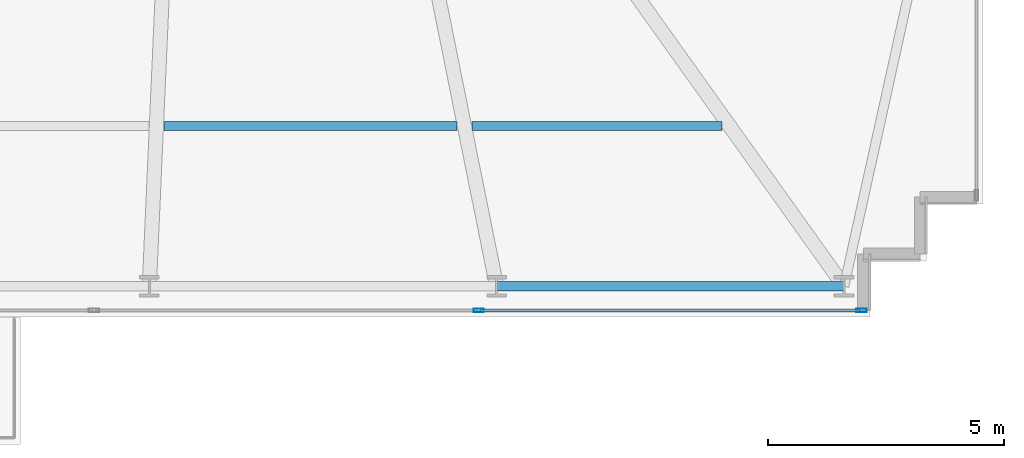
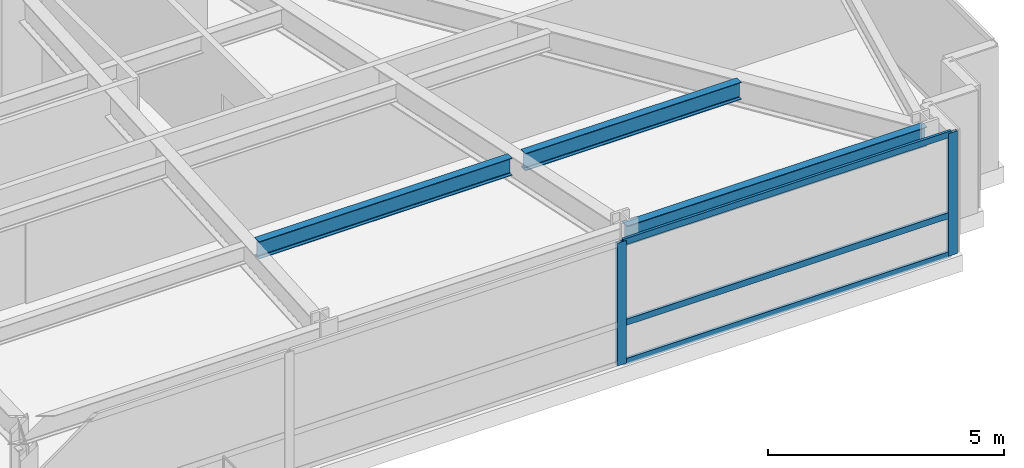
# One storey, part 13 of 31: 5 members, 3 beams, 1 element without a shape of its own.
"""IFC4 building model written with IfcOpenShell, lengths in metres."""

from ifc_helpers import new_model, si_unit, direction, frame, origin, origin_2d, place, context, subcontext, project, spatial, hollow_rectangle, i_section, extrude, material, material_profile, profile_set, type_object, element, aggregate, save


model = new_model("IFC4")

# Units and contexts
model_context = context("Model", 3, precision=1e-05, world=origin(), true_north=direction((0.0, 1.0)))
body_context = subcontext(model_context, "Body", "Model", "MODEL_VIEW")
ifc_project = project(units=[si_unit("LENGTHUNIT", "METRE"), si_unit("AREAUNIT", "SQUARE_METRE"), si_unit("VOLUMEUNIT", "CUBIC_METRE"), si_unit("PLANEANGLEUNIT", "RADIAN"), si_unit("MASSUNIT", "GRAM", prefix="KILO")], contexts=[model_context])

# Site, building, storey
site_placement = place(None, origin())
site = spatial("IfcSite", under=ifc_project, at=site_placement, CompositionType="ELEMENT")
building_placement = place(site_placement, origin())
building = spatial("IfcBuilding", under=site, at=building_placement, Name="Yelkora Congress Tower", CompositionType="ELEMENT")
storey_placement = place(building_placement, frame((0.0, 0.0, 30.39990234375)))
storey = spatial("IfcBuildingStorey", under=building, at=storey_placement, Name="L06", CompositionType="ELEMENT", Elevation=30.39990234375)

# Beams
ifc_material_1 = material(Name="Steel S355J2", Category="steel")
ifc_material_profile_1 = material_profile(ifc_material_1, i_section(OverallWidth=0.18994140625, OverallDepth=0.449951171875, WebThickness=0.009521484375, FlangeThickness=0.0146484375, FilletRadius=0.02099609375, at=origin_2d()), Name="IPE 450")
ifc_profile_set_1 = profile_set([ifc_material_profile_1], Name="Steel S355J2")
beam_type_1 = type_object("IfcBeamType", Name="BM-JOIST-IPE450", PredefinedType="JOIST", material=ifc_profile_set_1)
beam_1_placement = place(storey_placement, frame((53.435546875, 14.25, 2.955078125), z_axis=(1.0, 0.0, 0.0), x_axis=(0.0, 1.0, 0.0)))
element("IfcBeam", 1, at=beam_1_placement, inside=storey, type_object=beam_type_1, Name="L06 Composite Floor Joist 7", PredefinedType="JOIST", context=body_context, shape_type="SweptSolid", body=[
    extrude(i_section(OverallWidth=0.18994140625, OverallDepth=0.449951171875, WebThickness=0.009521484375, FlangeThickness=0.0146484375, FilletRadius=0.02099609375, at=origin_2d()), origin(), (0.0, 0.0, 1.0), 6.207763671875),
])
beam_2_placement = place(storey_placement, frame((59.96337890625, 14.25, 2.955078125), z_axis=(1.0, 0.0, 0.0), x_axis=(0.0, 1.0, 0.0)))
element("IfcBeam", 2, at=beam_2_placement, inside=storey, type_object=beam_type_1, Name="L06 Composite Floor Joist 8", PredefinedType="JOIST", context=body_context, shape_type="SweptSolid", body=[
    extrude(i_section(OverallWidth=0.18994140625, OverallDepth=0.449951171875, WebThickness=0.009521484375, FlangeThickness=0.0146484375, FilletRadius=0.02099609375, at=origin_2d()), origin(), (0.0, 0.0, 1.0), 5.298095703125),
])
ifc_material_profile_2 = material_profile(ifc_material_1, i_section(OverallWidth=0.199951171875, OverallDepth=0.5, WebThickness=0.01025390625, FlangeThickness=0.01611328125, FilletRadius=0.02099609375, at=origin_2d()), Name="IPE 500")
ifc_profile_set_2 = profile_set([ifc_material_profile_2], Name="Steel S355J2")
beam_type_2 = type_object("IfcBeamType", Name="BM-SPAN-IPE500", PredefinedType="SPANDREL", material=ifc_profile_set_2)
beam_3_placement = place(storey_placement, frame((60.487548828125, 10.85009765625, 2.93017578125), z_axis=(1.0, 0.0, 0.0), x_axis=(0.0, 1.0, 0.0)))
element("IfcBeam", 3, at=beam_3_placement, inside=storey, type_object=beam_type_2, Name="L06 Perimeter Beam 9", PredefinedType="SPANDREL", context=body_context, shape_type="SweptSolid", body=[
    extrude(i_section(OverallWidth=0.199951171875, OverallDepth=0.5, WebThickness=0.01025390625, FlangeThickness=0.01611328125, FilletRadius=0.02099609375, at=origin_2d()), origin(), (0.0, 0.0, 1.0), 7.362548828125),
])

# Curtain wall, members
ifc_material_2 = material(Name="Anodised aluminium and insulated glass", Category="aluminium")
curtain_wall_type = type_object("IfcCurtainWallType", Name="CW-SYS-B1", PredefinedType="NOTDEFINED", material=ifc_material_2)
curtain_wall_placement = place(storey_placement, origin())
curtain_wall = element("IfcCurtainWall", 4, at=curtain_wall_placement, inside=storey, type_object=curtain_wall_type, Name="L06 South-East Curtain Wall", PredefinedType="NOTDEFINED")
ifc_material_3 = material(Name="Anodised aluminium 6063-T6", Category="aluminium")
ifc_material_profile_3 = material_profile(ifc_material_3, hollow_rectangle(XDim=0.074951171875, YDim=0.219970703125, WallThickness=0.0048828125, at=origin_2d()), Name="ALU 75x220x5")
ifc_profile_set_3 = profile_set([ifc_material_profile_3], Name="Anodised aluminium 6063-T6")
member_type_1 = type_object("IfcMemberType", Name="MEM-ML-B1", PredefinedType="MULLION", material=ifc_profile_set_3)
member_1_placement = place(storey_placement, frame((60.106689453125, 10.340087890625, 0.0), z_axis=(0.0, 0.0, 1.0), x_axis=(0.0, 1.0, 0.0)))
member_1 = element("IfcMember", 5, at=member_1_placement, type_object=member_type_1, Name="CW-B1 mullion 3", PredefinedType="MULLION", context=body_context, shape_type="SweptSolid", body=[
    extrude(hollow_rectangle(XDim=0.074951171875, YDim=0.219970703125, WallThickness=0.0048828125, at=origin_2d()), origin(), (0.0, 0.0, 1.0), 3.18017578125),
])
member_2_placement = place(storey_placement, frame((68.222412109375, 10.340087890625, 0.0), z_axis=(0.0, 0.0, 1.0), x_axis=(0.0, 1.0, 0.0)))
member_2 = element("IfcMember", 6, at=member_2_placement, type_object=member_type_1, Name="CW-B1 mullion 4", PredefinedType="MULLION", context=body_context, shape_type="SweptSolid", body=[
    extrude(hollow_rectangle(XDim=0.074951171875, YDim=0.219970703125, WallThickness=0.0048828125, at=origin_2d()), origin(), (0.0, 0.0, 1.0), 3.18017578125),
])
ifc_material_profile_4 = material_profile(ifc_material_3, hollow_rectangle(XDim=0.06494140625, YDim=0.159912109375, WallThickness=0.00390625, at=origin_2d()), Name="ALU 65x160x4")
ifc_profile_set_4 = profile_set([ifc_material_profile_4], Name="Anodised aluminium 6063-T6")
member_type_2 = type_object("IfcMemberType", Name="MEM-TR-B1", PredefinedType="USERDEFINED", material=ifc_profile_set_4)
member_3_placement = place(storey_placement, frame((60.144287109375, 10.340087890625, 0.03271484375), z_axis=(1.0, 0.0, 0.0), x_axis=(0.0, 1.0, 0.0)))
member_3 = element("IfcMember", 7, at=member_3_placement, type_object=member_type_2, Name="CW-B1 transom 3.1", ObjectType="TRANSOM", PredefinedType="USERDEFINED", context=body_context, shape_type="SweptSolid", body=[
    extrude(hollow_rectangle(XDim=0.06494140625, YDim=0.159912109375, WallThickness=0.00390625, at=origin_2d()), origin(), (0.0, 0.0, 1.0), 8.040771484375),
])
member_4_placement = place(storey_placement, frame((60.144287109375, 10.340087890625, 1.050048828125), z_axis=(1.0, 0.0, 0.0), x_axis=(0.0, 1.0, 0.0)))
member_4 = element("IfcMember", 8, at=member_4_placement, type_object=member_type_2, Name="CW-B1 transom 3.2", ObjectType="TRANSOM", PredefinedType="USERDEFINED", context=body_context, shape_type="SweptSolid", body=[
    extrude(hollow_rectangle(XDim=0.06494140625, YDim=0.159912109375, WallThickness=0.00390625, at=origin_2d()), origin(), (0.0, 0.0, 1.0), 8.040771484375),
])
member_5_placement = place(storey_placement, frame((60.144287109375, 10.340087890625, 3.147705078125), z_axis=(1.0, 0.0, 0.0), x_axis=(0.0, 1.0, 0.0)))
member_5 = element("IfcMember", 9, at=member_5_placement, type_object=member_type_2, Name="CW-B1 transom 3.3", ObjectType="TRANSOM", PredefinedType="USERDEFINED", context=body_context, shape_type="SweptSolid", body=[
    extrude(hollow_rectangle(XDim=0.06494140625, YDim=0.159912109375, WallThickness=0.00390625, at=origin_2d()), origin(), (0.0, 0.0, 1.0), 8.040771484375),
])
aggregate(curtain_wall, [member_1, member_2, member_3, member_4, member_5])

save(model, "model.ifc")
